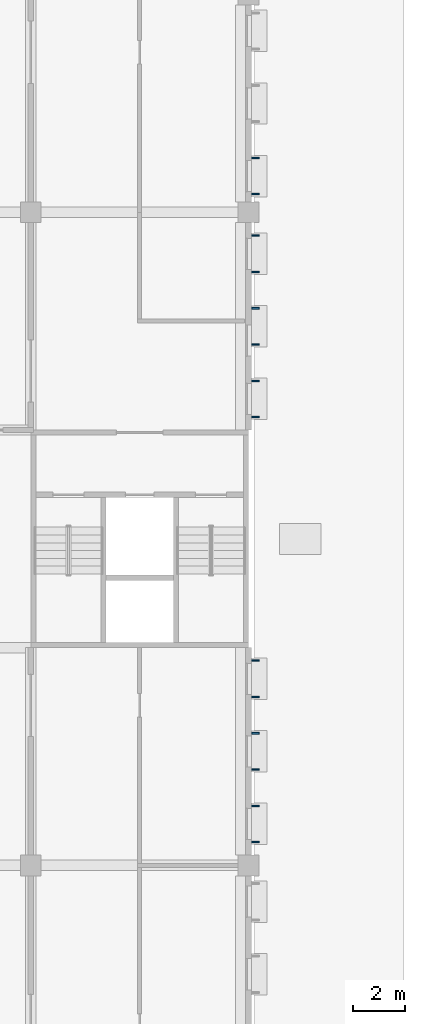
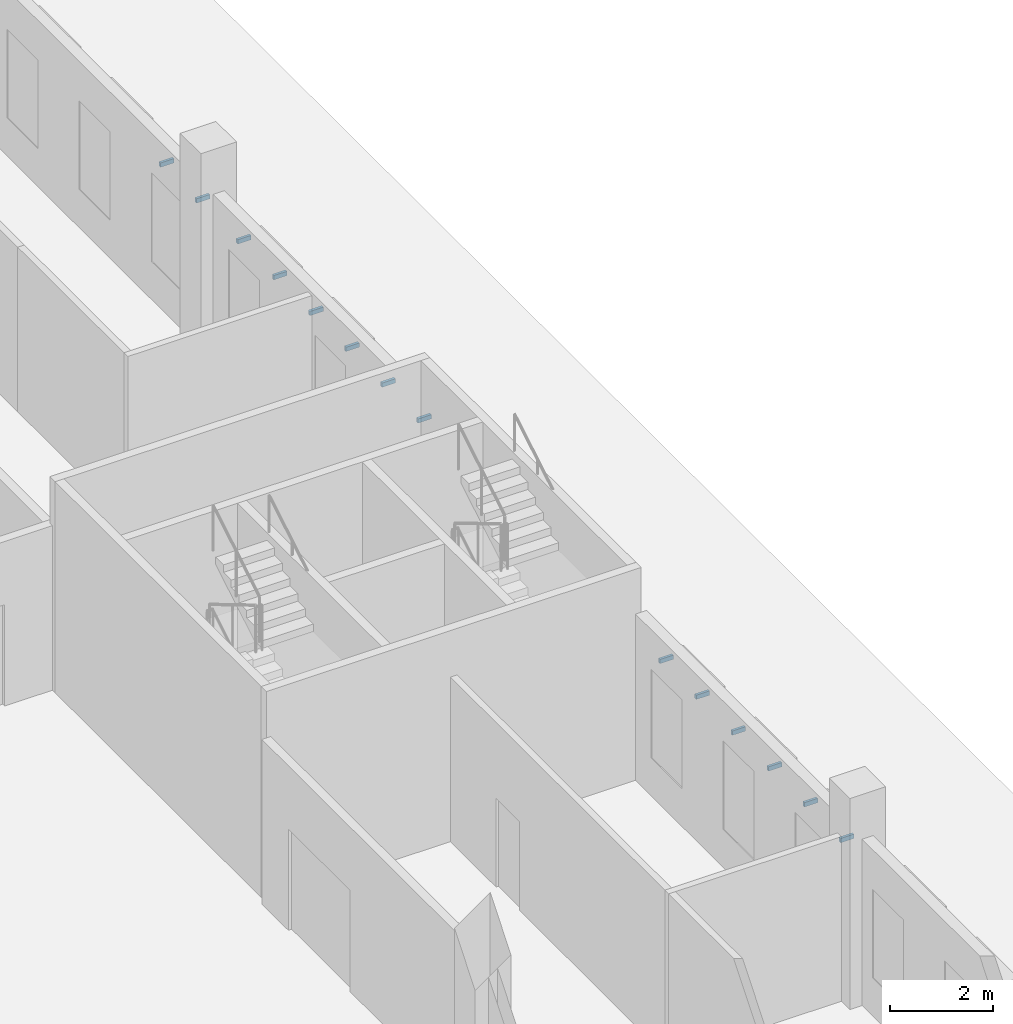
# One storey, part 57 of 101: 14 discrete accessories.
"""IFC4 building model written with IfcOpenShell, lengths in metres."""

from ifc_helpers import new_model, si_unit, direction, frame, origin, origin_2d, place, context, subcontext, project, spatial, rectangle, extrude, material, type_object, element, save


model = new_model("IFC4")

# Units and contexts
model_context = context("Model", 3, precision=1e-05, world=origin(), true_north=direction((0.0, 1.0)))
body_context = subcontext(model_context, "Body", "Model", "MODEL_VIEW")
ifc_project = project(units=[si_unit("LENGTHUNIT", "METRE"), si_unit("AREAUNIT", "SQUARE_METRE"), si_unit("VOLUMEUNIT", "CUBIC_METRE"), si_unit("PLANEANGLEUNIT", "RADIAN"), si_unit("MASSUNIT", "GRAM", prefix="KILO")], contexts=[model_context])

# Site, building, storey
site_placement = place(None, origin())
site = spatial("IfcSite", under=ifc_project, at=site_placement, CompositionType="ELEMENT")
building_placement = place(site_placement, origin())
building = spatial("IfcBuilding", under=site, at=building_placement, Name="Almond Square Museum", CompositionType="ELEMENT")
storey_placement = place(building_placement, frame((0.0, 0.0, 5.5)))
storey = spatial("IfcBuildingStorey", under=building, at=storey_placement, Name="L01", CompositionType="ELEMENT", Elevation=5.5)

# Discrete accessories
ifc_material = material(Name="Stainless steel", Category="steel")
discrete_accessory_type = type_object("IfcDiscreteAccessoryType", Name="Sun-shade blade bracket", PredefinedType="BRACKET", material=ifc_material)
for number, where, z_axis, x_axis, name in (
    (1, (157.472900390625, 68.10009765625, 2.9970703125), (0.0, 0.0, 1.0), (1.0, 0.0, 0.0), "Bracket sun-shade blade"),
    (2, (157.472900390625, 69.5, 2.9970703125), (0.0, 0.0, 1.0), (1.0, 0.0, 0.0), "Bracket sun-shade blade"),
    (3, (157.472900390625, 70.89990234375, 2.9970703125), (0.0, 0.0, 1.0), (1.0, 0.0, 0.0), "Bracket sun-shade blade"),
    (4, (157.472900390625, 72.300048828125, 2.9970703125), (0.0, 0.0, 1.0), (1.0, 0.0, 0.0), "Bracket sun-shade blade"),
    (5, (157.472900390625, 73.699951171875, 2.9970703125), (0.0, 0.0, 1.0), (1.0, 0.0, 0.0), "Bracket sun-shade blade"),
    (6, (157.472900390625, 75.10009765625, 2.9970703125), (0.0, 0.0, 1.0), (1.0, 0.0, 0.0), "Bracket sun-shade blade"),
    (7, (157.472900390625, 84.5, 2.9970703125), (0.0, 0.0, 1.0), (1.0, 0.0, 0.0), "Bracket sun-shade blade"),
    (8, (157.472900390625, 85.89990234375, 2.9970703125), (0.0, 0.0, 1.0), (1.0, 0.0, 0.0), "Bracket sun-shade blade"),
    (9, (157.472900390625, 87.300048828125, 2.9970703125), (0.0, 0.0, 1.0), (1.0, 0.0, 0.0), "Bracket sun-shade blade"),
    (10, (157.472900390625, 88.699951171875, 2.9970703125), (0.0, 0.0, 1.0), (1.0, 0.0, 0.0), "Bracket sun-shade blade"),
    (11, (157.472900390625, 90.10009765625, 2.9970703125), (0.0, 0.0, 1.0), (1.0, 0.0, 0.0), "Bracket sun-shade blade"),
    (12, (157.472900390625, 91.5, 2.9970703125), (0.0, 0.0, 1.0), (1.0, 0.0, 0.0), "Bracket sun-shade blade"),
    (13, (157.472900390625, 93.10009765625, 2.9970703125), (0.0, 0.0, 1.0), (1.0, 0.0, 0.0), "Bracket sun-shade blade"),
    (14, (157.472900390625, 94.5, 2.9970703125), (0.0, 0.0, 1.0), (1.0, 0.0, 0.0), "Bracket sun-shade blade"),
):
    element("IfcDiscreteAccessory", number, at=place(storey_placement, frame(where, z_axis=z_axis, x_axis=x_axis)), inside=storey, type_object=discrete_accessory_type, Name=name, PredefinedType="BRACKET", context=body_context, shape_type="SweptSolid", body=[
        extrude(rectangle(XDim=0.300048828125, YDim=0.06005859375, at=origin_2d()), origin(), (0.0, 0.0, 1.0), 0.10009765625),
    ])

save(model, "model.ifc")
